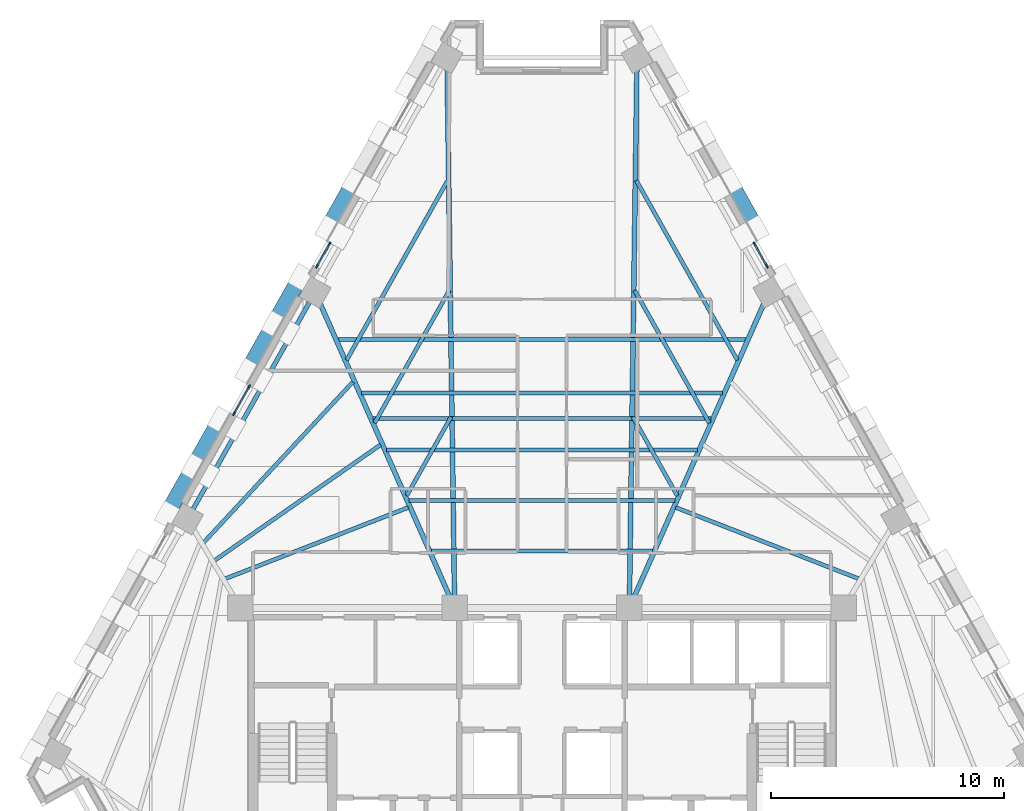
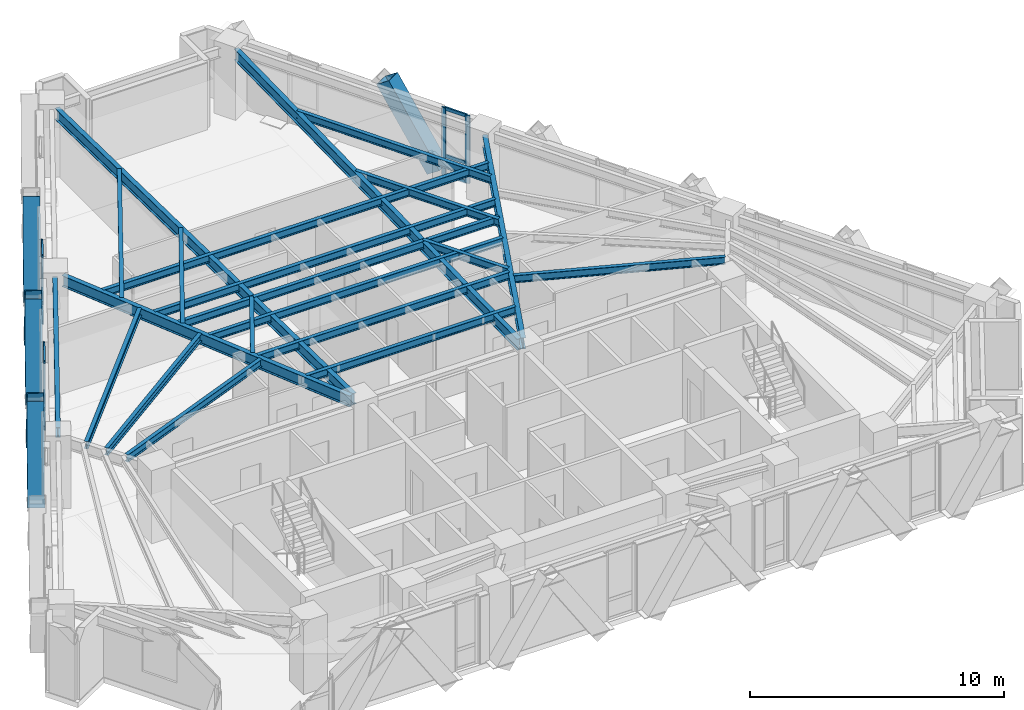
# One storey, part 3 of 14: 21 beams, 21 members, 3 elements without a shape of their own.
"""IFC4 building model written with IfcOpenShell, lengths in metres."""

from ifc_helpers import new_model, si_unit, direction, frame, origin, origin_2d, place, context, subcontext, project, spatial, rectangle, hollow_rectangle, i_section, extrude, material, material_profile, profile_set, type_object, element, aggregate, save


model = new_model("IFC4")

# Units and contexts
model_context = context("Model", 3, precision=1e-05, world=origin(), true_north=direction((0.0, 1.0)))
body_context = subcontext(model_context, "Body", "Model", "MODEL_VIEW")
ifc_project = project(units=[si_unit("LENGTHUNIT", "METRE"), si_unit("AREAUNIT", "SQUARE_METRE"), si_unit("VOLUMEUNIT", "CUBIC_METRE"), si_unit("PLANEANGLEUNIT", "RADIAN"), si_unit("MASSUNIT", "GRAM", prefix="KILO")], contexts=[model_context])

# Site, building, storey
site_placement = place(None, origin())
site = spatial("IfcSite", under=ifc_project, at=site_placement, CompositionType="ELEMENT")
building_placement = place(site_placement, origin())
building = spatial("IfcBuilding", under=site, at=building_placement, Name="Quenlor Broadcast Tower", CompositionType="ELEMENT")
storey_placement = place(building_placement, frame((0.0, 0.0, 168.5)))
storey = spatial("IfcBuildingStorey", under=building, at=storey_placement, Name="L46", CompositionType="ELEMENT", Elevation=168.5)

# Curtain wall, members
ifc_material_1 = material(Name="Architectural Terracotta and Low-E Glazing", Category="masonry")
curtain_wall_type = type_object("IfcCurtainWallType", Name="Unitised Terracotta Curtain Wall System Z3", PredefinedType="NOTDEFINED", material=ifc_material_1)
curtain_wall_1_placement = place(storey_placement, origin())
curtain_wall_1 = element("IfcCurtainWall", 1, at=curtain_wall_1_placement, inside=storey, type_object=curtain_wall_type, Name="L46 Curtain Wall CW3 (L46-NEA-G2)", PredefinedType="NOTDEFINED")
ifc_material_2 = material(Name="Aluminium 6063-T6", Category="aluminium")
ifc_material_profile_1 = material_profile(ifc_material_2, rectangle(XDim=0.070068359375, YDim=0.18994140625, at=origin_2d()))
ifc_profile_set_1 = profile_set([ifc_material_profile_1], Name="Aluminium 6063-T6 MULL70x190")
member_type_1 = type_object("IfcMemberType", Name="CW3 Aluminium Mullion MULL_CW3", PredefinedType="MULLION", material=ifc_profile_set_1)
member_1_placement = place(storey_placement, frame((9.1259765625, 10.8193359375, 0.0), z_axis=(0.0, 0.0, 1.0), x_axis=(0.871601010924, 0.490215950125, 0.0)))
member_1 = element("IfcMember", 2, at=member_1_placement, type_object=member_type_1, Name="CW3 mullion 1", PredefinedType="MULLION", context=body_context, shape_type="SweptSolid", body=[
    extrude(rectangle(XDim=0.070068359375, YDim=0.18994140625, at=origin_2d()), origin(), (0.0, 0.0, 1.0), 3.25),
])
member_2_placement = place(storey_placement, frame((9.656982421875, 9.875244140625, 0.0), z_axis=(0.0, 0.0, 1.0), x_axis=(0.871601010924, 0.490215950125, 0.0)))
member_2 = element("IfcMember", 3, at=member_2_placement, type_object=member_type_1, Name="CW3 mullion 2", PredefinedType="MULLION", context=body_context, shape_type="SweptSolid", body=[
    extrude(rectangle(XDim=0.070068359375, YDim=0.18994140625, at=origin_2d()), origin(), (0.0, 0.0, 1.0), 3.25),
])

curtain_wall_2_placement = place(storey_placement, origin())
curtain_wall_2 = element("IfcCurtainWall", 4, at=curtain_wall_2_placement, inside=storey, type_object=curtain_wall_type, Name="L46 Curtain Wall CW3 (L46-NWC-G1)", PredefinedType="NOTDEFINED")
member_3_placement = place(storey_placement, frame((-9.656982421875, 9.875244140625, 0.0), z_axis=(0.0, 0.0, 1.0), x_axis=(-0.871601010924, 0.490215950125, 0.0)))
member_3 = element("IfcMember", 5, at=member_3_placement, type_object=member_type_1, Name="CW3 mullion 1", PredefinedType="MULLION", context=body_context, shape_type="SweptSolid", body=[
    extrude(rectangle(XDim=0.070068359375, YDim=0.18994140625, at=origin_2d()), origin(), (0.0, 0.0, 1.0), 3.25),
])
member_4_placement = place(storey_placement, frame((-9.1259765625, 10.8193359375, 0.0), z_axis=(0.0, 0.0, 1.0), x_axis=(-0.871601010924, 0.490215950125, 0.0)))
member_4 = element("IfcMember", 6, at=member_4_placement, type_object=member_type_1, Name="CW3 mullion 2", PredefinedType="MULLION", context=body_context, shape_type="SweptSolid", body=[
    extrude(rectangle(XDim=0.070068359375, YDim=0.18994140625, at=origin_2d()), origin(), (0.0, 0.0, 1.0), 3.25),
])

curtain_wall_3_placement = place(storey_placement, origin())
curtain_wall_3 = element("IfcCurtainWall", 7, at=curtain_wall_3_placement, inside=storey, type_object=curtain_wall_type, Name="L46 Curtain Wall CW3 (L46-NW-G1)", PredefinedType="NOTDEFINED")
member_5_placement = place(storey_placement, frame((-13.220947265625, 3.5390625, 0.0), z_axis=(0.0, 0.0, 1.0), x_axis=(-0.871562085714, 0.490285152484, 0.0)))
member_5 = element("IfcMember", 8, at=member_5_placement, type_object=member_type_1, Name="CW3 mullion 1", PredefinedType="MULLION", context=body_context, shape_type="SweptSolid", body=[
    extrude(rectangle(XDim=0.070068359375, YDim=0.18994140625, at=origin_2d()), origin(), (0.0, 0.0, 1.0), 3.25),
])
member_6_placement = place(storey_placement, frame((-12.573974609375, 4.689208984375, 0.0), z_axis=(0.0, 0.0, 1.0), x_axis=(-0.871562085714, 0.490285152484, 0.0)))
member_6 = element("IfcMember", 9, at=member_6_placement, type_object=member_type_1, Name="CW3 mullion 2", PredefinedType="MULLION", context=body_context, shape_type="SweptSolid", body=[
    extrude(rectangle(XDim=0.070068359375, YDim=0.18994140625, at=origin_2d()), origin(), (0.0, 0.0, 1.0), 3.25),
])

# Member
ifc_material_3 = material(Name="Aluminium 6063-T6", Category="aluminium")
ifc_material_profile_2 = material_profile(ifc_material_3, rectangle(XDim=0.070068359375, YDim=0.155029296875, at=origin_2d()))
ifc_profile_set_2 = profile_set([ifc_material_profile_2], Name="Aluminium 6063-T6 TRAN70x155")
member_type_2 = type_object("IfcMemberType", Name="CW3 Aluminium Transom TRAN_CW3", PredefinedType="USERDEFINED", material=ifc_profile_set_2)
member_7_placement = place(storey_placement, frame((9.14306640625, 10.788818359375, 0.034912109375), z_axis=(0.490341317219, -0.871530488639, 0.0), x_axis=(0.871530488639, 0.490341317219, 0.0)))
member_7 = element("IfcMember", 10, at=member_7_placement, type_object=member_type_2, Name="CW3 transom 1.1", ObjectType="TRANSOM", PredefinedType="USERDEFINED", context=body_context, shape_type="SweptSolid", body=[
    extrude(rectangle(XDim=0.070068359375, YDim=0.155029296875, at=origin_2d()), origin(), (0.0, 0.0, 1.0), 1.01318359375),
])

member_8_placement = place(storey_placement, frame((9.14306640625, 10.788818359375, 0.949951171875), z_axis=(0.490341317219, -0.871530488639, 0.0), x_axis=(0.871530488639, 0.490341317219, 0.0)))
member_8 = element("IfcMember", 11, at=member_8_placement, type_object=member_type_2, Name="CW3 transom 1.2", ObjectType="TRANSOM", PredefinedType="USERDEFINED", context=body_context, shape_type="SweptSolid", body=[
    extrude(rectangle(XDim=0.070068359375, YDim=0.155029296875, at=origin_2d()), origin(), (0.0, 0.0, 1.0), 1.01318359375),
])

member_9_placement = place(storey_placement, frame((9.14306640625, 10.788818359375, 3.215087890625), z_axis=(0.490341317219, -0.871530488639, 0.0), x_axis=(0.871530488639, 0.490341317219, 0.0)))
member_9 = element("IfcMember", 12, at=member_9_placement, type_object=member_type_2, Name="CW3 transom 1.3", ObjectType="TRANSOM", PredefinedType="USERDEFINED", context=body_context, shape_type="SweptSolid", body=[
    extrude(rectangle(XDim=0.070068359375, YDim=0.155029296875, at=origin_2d()), origin(), (0.0, 0.0, 1.0), 1.01318359375),
])

aggregate(curtain_wall_1, [member_1, member_2, member_7, member_8, member_9])

member_10_placement = place(storey_placement, frame((-9.639892578125, 9.90576171875, 0.034912109375), z_axis=(0.490341317219, 0.871530488639, 0.0), x_axis=(-0.871530488639, 0.490341317219, 0.0)))
member_10 = element("IfcMember", 13, at=member_10_placement, type_object=member_type_2, Name="CW3 transom 1.1", ObjectType="TRANSOM", PredefinedType="USERDEFINED", context=body_context, shape_type="SweptSolid", body=[
    extrude(rectangle(XDim=0.070068359375, YDim=0.155029296875, at=origin_2d()), origin(), (0.0, 0.0, 1.0), 1.01318359375),
])

member_11_placement = place(storey_placement, frame((-9.639892578125, 9.90576171875, 0.949951171875), z_axis=(0.490341317219, 0.871530488639, 0.0), x_axis=(-0.871530488639, 0.490341317219, 0.0)))
member_11 = element("IfcMember", 14, at=member_11_placement, type_object=member_type_2, Name="CW3 transom 1.2", ObjectType="TRANSOM", PredefinedType="USERDEFINED", context=body_context, shape_type="SweptSolid", body=[
    extrude(rectangle(XDim=0.070068359375, YDim=0.155029296875, at=origin_2d()), origin(), (0.0, 0.0, 1.0), 1.01318359375),
])

member_12_placement = place(storey_placement, frame((-9.639892578125, 9.90576171875, 3.215087890625), z_axis=(0.490341317219, 0.871530488639, 0.0), x_axis=(-0.871530488639, 0.490341317219, 0.0)))
member_12 = element("IfcMember", 15, at=member_12_placement, type_object=member_type_2, Name="CW3 transom 1.3", ObjectType="TRANSOM", PredefinedType="USERDEFINED", context=body_context, shape_type="SweptSolid", body=[
    extrude(rectangle(XDim=0.070068359375, YDim=0.155029296875, at=origin_2d()), origin(), (0.0, 0.0, 1.0), 1.01318359375),
])

aggregate(curtain_wall_2, [member_3, member_4, member_10, member_11, member_12])

member_13_placement = place(storey_placement, frame((-13.203857421875, 3.569580078125, 0.034912109375), z_axis=(0.490363266059, 0.871518139398, 0.0), x_axis=(-0.871518139398, 0.490363266059, 0.0)))
member_13 = element("IfcMember", 16, at=member_13_placement, type_object=member_type_2, Name="CW3 transom 1.1", ObjectType="TRANSOM", PredefinedType="USERDEFINED", context=body_context, shape_type="SweptSolid", body=[
    extrude(rectangle(XDim=0.070068359375, YDim=0.155029296875, at=origin_2d()), origin(), (0.0, 0.0, 1.0), 1.249755859375),
])

member_14_placement = place(storey_placement, frame((-13.203857421875, 3.569580078125, 0.949951171875), z_axis=(0.490363266059, 0.871518139398, 0.0), x_axis=(-0.871518139398, 0.490363266059, 0.0)))
member_14 = element("IfcMember", 17, at=member_14_placement, type_object=member_type_2, Name="CW3 transom 1.2", ObjectType="TRANSOM", PredefinedType="USERDEFINED", context=body_context, shape_type="SweptSolid", body=[
    extrude(rectangle(XDim=0.070068359375, YDim=0.155029296875, at=origin_2d()), origin(), (0.0, 0.0, 1.0), 1.249755859375),
])

member_15_placement = place(storey_placement, frame((-13.203857421875, 3.569580078125, 3.215087890625), z_axis=(0.490363266059, 0.871518139398, 0.0), x_axis=(-0.871518139398, 0.490363266059, 0.0)))
member_15 = element("IfcMember", 18, at=member_15_placement, type_object=member_type_2, Name="CW3 transom 1.3", ObjectType="TRANSOM", PredefinedType="USERDEFINED", context=body_context, shape_type="SweptSolid", body=[
    extrude(rectangle(XDim=0.070068359375, YDim=0.155029296875, at=origin_2d()), origin(), (0.0, 0.0, 1.0), 1.249755859375),
])

aggregate(curtain_wall_3, [member_5, member_6, member_13, member_14, member_15])

# Members
ifc_material_4 = material(Name="Steel S355", Category="steel")
ifc_material_profile_3 = material_profile(ifc_material_4, hollow_rectangle(XDim=0.679931640625, YDim=0.679931640625, WallThickness=0.02490234375, at=origin_2d()))
ifc_profile_set_3 = profile_set([ifc_material_profile_3], Name="Steel S355 RHS680x680x25")
member_type_3 = type_object("IfcMemberType", Name="Perimeter Diagonal Lattice Brace Z3-Z4 Steel S355 RHS680x25", PredefinedType="BRACE", material=ifc_profile_set_3)
for number, where, z_axis, x_axis, name in (
    (19, (9.212158203125, 11.4716796875, -0.1201171875), (-0.27060310517, 0.481001091283, 0.833913610428), (-0.871544572467, -0.490316283845, 0.0), "L46 Perimeter Diamond Lattice NE-C2B"),
    (20, (-16.1083984375, -0.7880859375, -0.1201171875), (0.27060310517, 0.481001091283, 0.833913610428), (-0.871544572467, 0.490316283845, 0.0), "L46 Perimeter Diamond Lattice NW-C2S"),
    (21, (-12.66015625, 5.341796875, -0.1201171875), (0.2705491942, 0.481008661973, 0.833926735766), (-0.871589611547, 0.490236217596, 0.0), "L46 Perimeter Diamond Lattice NW-C3S"),
    (22, (-13.823486328125, 3.27392578125, -0.1201171875), (-0.2705491942, -0.481008661973, 0.833926735766), (0.871589611547, -0.490236217596, 0.0), "L46 Perimeter Diamond Lattice NW-C3B"),
    (23, (-9.212158203125, 11.4716796875, -0.1201171875), (0.27060310517, 0.481001091283, 0.833913610428), (-0.871544572467, 0.490316283845, 0.0), "L46 Perimeter Diamond Lattice NW-C4S"),
    (24, (-10.375244140625, 9.40380859375, -0.1201171875), (-0.2705491942, -0.481008661973, 0.833926735766), (0.871589611547, -0.490236217596, 0.0), "L46 Perimeter Diamond Lattice NW-C4B"),
):
    element("IfcMember", number, at=place(storey_placement, frame(where, z_axis=z_axis, x_axis=x_axis)), inside=storey, type_object=member_type_3, Name=name, PredefinedType="BRACE", context=body_context, shape_type="SweptSolid", body=[
        extrude(hollow_rectangle(XDim=0.679931640625, YDim=0.679931640625, WallThickness=0.02490234375, at=origin_2d()), origin(), (0.0, 0.0, 1.0), 4.197021484375),
    ])

# Beams
ifc_material_5 = material(Name="Steel S355", Category="steel")
ifc_material_profile_4 = material_profile(ifc_material_5, i_section(OverallWidth=0.19091796875, OverallDepth=0.46044921875, WebThickness=0.010009765625, FlangeThickness=0.01611328125, FilletRadius=0.011474609375, at=origin_2d()))
ifc_profile_set_4 = profile_set([ifc_material_profile_4], Name="Steel S355 460UB82.1")
beam_type_1 = type_object("IfcBeamType", Name="Perimeter Spandrel Beam Z3 Steel S355 460UB82.1", PredefinedType="SPANDREL", material=ifc_profile_set_4)
beam_1_placement = place(storey_placement, frame((-9.944091796875, 8.39599609375, 3.019775390625), z_axis=(-0.490252288562, -0.871580572041, 0.0), x_axis=(0.871580572041, -0.490252288562, 0.0)))
element("IfcBeam", 25, at=beam_1_placement, inside=storey, type_object=beam_type_1, Name="L46 Spandrel Beam NW2-NW3", PredefinedType="SPANDREL", context=body_context, shape_type="SweptSolid", body=[
    extrude(i_section(OverallWidth=0.19091796875, OverallDepth=0.46044921875, WebThickness=0.010009765625, FlangeThickness=0.01611328125, FilletRadius=0.011474609375, at=origin_2d()), origin(), (0.0, 0.0, 1.0), 10.359619140625),
])
ifc_material_6 = material(Name="Steel S355", Category="steel")
ifc_material_profile_5 = material_profile(ifc_material_6, i_section(OverallWidth=0.172119140625, OverallDepth=0.358642578125, WebThickness=0.008056640625, FlangeThickness=0.012939453125, FilletRadius=0.011474609375, at=origin_2d()))
ifc_profile_set_5 = profile_set([ifc_material_profile_5], Name="Steel S355 360UB56.7")
beam_type_2 = type_object("IfcBeamType", Name="Tower Composite Joist Z2-Z3 Steel S355 360UB56.7", PredefinedType="JOIST", material=ifc_profile_set_5)
beam_2_placement = place(storey_placement, frame((-4.748779296875, -2.3603515625, 3.07080078125), z_axis=(1.0, 0.0, 0.0), x_axis=(0.0, 1.0, 0.0)))
element("IfcBeam", 26, at=beam_2_placement, inside=storey, type_object=beam_type_2, Name="L46 Secondary Composite Joist 1", PredefinedType="JOIST", context=body_context, shape_type="SweptSolid", body=[
    extrude(i_section(OverallWidth=0.172119140625, OverallDepth=0.358642578125, WebThickness=0.008056640625, FlangeThickness=0.012939453125, FilletRadius=0.011474609375, at=origin_2d()), origin(), (0.0, 0.0, 1.0), 9.49755859375),
])
beam_3_placement = place(storey_placement, frame((-7.265869140625, 3.33203125, 3.07080078125), z_axis=(1.0, 0.0, 0.0), x_axis=(0.0, 1.0, 0.0)))
element("IfcBeam", 27, at=beam_3_placement, inside=storey, type_object=beam_type_2, Name="L46 Secondary Composite Joist 2", PredefinedType="JOIST", context=body_context, shape_type="SweptSolid", body=[
    extrude(i_section(OverallWidth=0.172119140625, OverallDepth=0.358642578125, WebThickness=0.008056640625, FlangeThickness=0.012939453125, FilletRadius=0.011474609375, at=origin_2d()), origin(), (0.0, 0.0, 1.0), 14.53173828125),
])
beam_4_placement = place(storey_placement, frame((-5.70751953125, -0.19189453125, 3.07080078125), z_axis=(1.0, 0.0, 0.0), x_axis=(0.0, 1.0, 0.0)))
element("IfcBeam", 28, at=beam_4_placement, inside=storey, type_object=beam_type_2, Name="L46 Secondary Composite Joist 3", PredefinedType="JOIST", context=body_context, shape_type="SweptSolid", body=[
    extrude(i_section(OverallWidth=0.172119140625, OverallDepth=0.358642578125, WebThickness=0.008056640625, FlangeThickness=0.012939453125, FilletRadius=0.011474609375, at=origin_2d()), origin(), (0.0, 0.0, 1.0), 11.4150390625),
])
beam_5_placement = place(storey_placement, frame((-6.66650390625, 1.976806640625, 3.07080078125), z_axis=(1.0, 0.0, 0.0), x_axis=(0.0, 1.0, 0.0)))
element("IfcBeam", 29, at=beam_5_placement, inside=storey, type_object=beam_type_2, Name="L46 Secondary Composite Joist 4", PredefinedType="JOIST", context=body_context, shape_type="SweptSolid", body=[
    extrude(i_section(OverallWidth=0.172119140625, OverallDepth=0.358642578125, WebThickness=0.008056640625, FlangeThickness=0.012939453125, FilletRadius=0.011474609375, at=origin_2d()), origin(), (0.0, 0.0, 1.0), 13.3330078125),
])
beam_6_placement = place(storey_placement, frame((-7.7451171875, 4.416259765625, 3.07080078125), z_axis=(1.0, 0.0, 0.0), x_axis=(0.0, 1.0, 0.0)))
element("IfcBeam", 30, at=beam_6_placement, inside=storey, type_object=beam_type_2, Name="L46 Secondary Composite Joist 5", PredefinedType="JOIST", context=body_context, shape_type="SweptSolid", body=[
    extrude(i_section(OverallWidth=0.172119140625, OverallDepth=0.358642578125, WebThickness=0.008056640625, FlangeThickness=0.012939453125, FilletRadius=0.011474609375, at=origin_2d()), origin(), (0.0, 0.0, 1.0), 15.490234375),
])
beam_7_placement = place(storey_placement, frame((-8.763916015625, 6.72021484375, 3.07080078125), z_axis=(1.0, 0.0, 0.0), x_axis=(0.0, 1.0, 0.0)))
element("IfcBeam", 31, at=beam_7_placement, inside=storey, type_object=beam_type_2, Name="L46 Secondary Composite Joist 6", PredefinedType="JOIST", context=body_context, shape_type="SweptSolid", body=[
    extrude(i_section(OverallWidth=0.172119140625, OverallDepth=0.358642578125, WebThickness=0.008056640625, FlangeThickness=0.012939453125, FilletRadius=0.011474609375, at=origin_2d()), origin(), (0.0, 0.0, 1.0), 17.52783203125),
])
beam_8_placement = place(storey_placement, frame((-13.60302734375, -3.552001953125, 3.07080078125), z_axis=(0.931881865797, 0.362761889121, 0.0), x_axis=(-0.362761889121, 0.931881865797, 0.0)))
element("IfcBeam", 32, at=beam_8_placement, inside=storey, type_object=beam_type_2, Name="L46 Secondary Composite Joist 7", PredefinedType="JOIST", context=body_context, shape_type="SweptSolid", body=[
    extrude(i_section(OverallWidth=0.172119140625, OverallDepth=0.358642578125, WebThickness=0.008056640625, FlangeThickness=0.012939453125, FilletRadius=0.011474609375, at=origin_2d()), origin(), (0.0, 0.0, 1.0), 8.435546875),
])
beam_9_placement = place(storey_placement, frame((-14.06689453125, -2.7734375, 3.07080078125), z_axis=(0.82026568394, 0.57198269882, 0.0), x_axis=(-0.57198269882, 0.82026568394, 0.0)))
element("IfcBeam", 33, at=beam_9_placement, inside=storey, type_object=beam_type_2, Name="L46 Secondary Composite Joist 8", PredefinedType="JOIST", context=body_context, shape_type="SweptSolid", body=[
    extrude(i_section(OverallWidth=0.172119140625, OverallDepth=0.358642578125, WebThickness=0.008056640625, FlangeThickness=0.012939453125, FilletRadius=0.011474609375, at=origin_2d()), origin(), (0.0, 0.0, 1.0), 8.698486328125),
])
beam_10_placement = place(storey_placement, frame((-14.53271484375, -1.998779296875, 3.07080078125), z_axis=(0.680873505991, 0.732401030065, 0.0), x_axis=(-0.732401030065, 0.680873505991, 0.0)))
element("IfcBeam", 34, at=beam_10_placement, inside=storey, type_object=beam_type_2, Name="L46 Secondary Composite Joist 9", PredefinedType="JOIST", context=body_context, shape_type="SweptSolid", body=[
    extrude(i_section(OverallWidth=0.172119140625, OverallDepth=0.358642578125, WebThickness=0.008056640625, FlangeThickness=0.012939453125, FilletRadius=0.011474609375, at=origin_2d()), origin(), (0.0, 0.0, 1.0), 9.419189453125),
])
beam_11_placement = place(storey_placement, frame((13.60302734375, -3.552001953125, 3.07080078125), z_axis=(-0.931881865797, 0.362761889121, 0.0), x_axis=(-0.362761889121, -0.931881865797, 0.0)))
element("IfcBeam", 35, at=beam_11_placement, inside=storey, type_object=beam_type_2, Name="L46 Secondary Composite Joist 10", PredefinedType="JOIST", context=body_context, shape_type="SweptSolid", body=[
    extrude(i_section(OverallWidth=0.172119140625, OverallDepth=0.358642578125, WebThickness=0.008056640625, FlangeThickness=0.012939453125, FilletRadius=0.011474609375, at=origin_2d()), origin(), (0.0, 0.0, 1.0), 8.435546875),
])
beam_12_placement = place(storey_placement, frame((-3.904541015625, 3.39794921875, 3.07080078125), z_axis=(-0.49026422458, -0.871573858085, 0.0), x_axis=(0.871573858085, -0.49026422458, 0.0)))
element("IfcBeam", 36, at=beam_12_placement, inside=storey, type_object=beam_type_2, Name="L46 Secondary Composite Joist 25", PredefinedType="JOIST", context=body_context, shape_type="SweptSolid", body=[
    extrude(i_section(OverallWidth=0.172119140625, OverallDepth=0.358642578125, WebThickness=0.008056640625, FlangeThickness=0.012939453125, FilletRadius=0.011474609375, at=origin_2d()), origin(), (0.0, 0.0, 1.0), 3.88330078125),
])
beam_13_placement = place(storey_placement, frame((-3.980224609375, 8.8310546875, 3.07080078125), z_axis=(-0.490266556378, -0.871572546434, 0.0), x_axis=(0.871572546434, -0.490266556378, 0.0)))
element("IfcBeam", 37, at=beam_13_placement, inside=storey, type_object=beam_type_2, Name="L46 Secondary Composite Joist 26", PredefinedType="JOIST", context=body_context, shape_type="SweptSolid", body=[
    extrude(i_section(OverallWidth=0.172119140625, OverallDepth=0.358642578125, WebThickness=0.008056640625, FlangeThickness=0.012939453125, FilletRadius=0.011474609375, at=origin_2d()), origin(), (0.0, 0.0, 1.0), 6.54052734375),
])
beam_14_placement = place(storey_placement, frame((-4.046142578125, 13.555419921875, 3.07080078125), z_axis=(-0.490254691431, -0.871579220455, 0.0), x_axis=(0.871579220455, -0.490254691431, 0.0)))
element("IfcBeam", 38, at=beam_14_placement, inside=storey, type_object=beam_type_2, Name="L46 Secondary Composite Joist 27", PredefinedType="JOIST", context=body_context, shape_type="SweptSolid", body=[
    extrude(i_section(OverallWidth=0.172119140625, OverallDepth=0.358642578125, WebThickness=0.008056640625, FlangeThickness=0.012939453125, FilletRadius=0.011474609375, at=origin_2d()), origin(), (0.0, 0.0, 1.0), 8.850830078125),
])
beam_15_placement = place(storey_placement, frame((3.904541015625, 3.39794921875, 3.07080078125), z_axis=(0.49026422458, -0.871573858085, 0.0), x_axis=(0.871573858085, 0.49026422458, 0.0)))
element("IfcBeam", 39, at=beam_15_placement, inside=storey, type_object=beam_type_2, Name="L46 Secondary Composite Joist 28", PredefinedType="JOIST", context=body_context, shape_type="SweptSolid", body=[
    extrude(i_section(OverallWidth=0.172119140625, OverallDepth=0.358642578125, WebThickness=0.008056640625, FlangeThickness=0.012939453125, FilletRadius=0.011474609375, at=origin_2d()), origin(), (0.0, 0.0, 1.0), 3.88330078125),
])
beam_16_placement = place(storey_placement, frame((3.980224609375, 8.8310546875, 3.07080078125), z_axis=(0.490266556378, -0.871572546434, 0.0), x_axis=(0.871572546434, 0.490266556378, 0.0)))
element("IfcBeam", 40, at=beam_16_placement, inside=storey, type_object=beam_type_2, Name="L46 Secondary Composite Joist 29", PredefinedType="JOIST", context=body_context, shape_type="SweptSolid", body=[
    extrude(i_section(OverallWidth=0.172119140625, OverallDepth=0.358642578125, WebThickness=0.008056640625, FlangeThickness=0.012939453125, FilletRadius=0.011474609375, at=origin_2d()), origin(), (0.0, 0.0, 1.0), 6.54052734375),
])
beam_17_placement = place(storey_placement, frame((4.046142578125, 13.555419921875, 3.07080078125), z_axis=(0.490254691431, -0.871579220455, 0.0), x_axis=(0.871579220455, 0.490254691431, 0.0)))
element("IfcBeam", 41, at=beam_17_placement, inside=storey, type_object=beam_type_2, Name="L46 Secondary Composite Joist 30", PredefinedType="JOIST", context=body_context, shape_type="SweptSolid", body=[
    extrude(i_section(OverallWidth=0.172119140625, OverallDepth=0.358642578125, WebThickness=0.008056640625, FlangeThickness=0.012939453125, FilletRadius=0.011474609375, at=origin_2d()), origin(), (0.0, 0.0, 1.0), 8.850830078125),
])
ifc_material_7 = material(Name="Steel S355", Category="steel")
ifc_material_profile_6 = material_profile(ifc_material_7, i_section(OverallWidth=0.208984375, OverallDepth=0.532958984375, WebThickness=0.01025390625, FlangeThickness=0.015625, FilletRadius=0.013916015625, at=origin_2d()))
ifc_profile_set_6 = profile_set([ifc_material_profile_6], Name="Steel S355 530UB92.4")
beam_type_3 = type_object("IfcBeamType", Name="Tower Primary Floor Beam Z3 Steel S355 530UB92.4", PredefinedType="BEAM", material=ifc_profile_set_6)
beam_18_placement = place(storey_placement, frame((9.5771484375, 8.37841796875, 2.9833984375), z_axis=(-0.404397129794, -0.914583490675, 0.0), x_axis=(0.914583490675, -0.404397129794, 0.0)))
element("IfcBeam", 42, at=beam_18_placement, inside=storey, type_object=beam_type_3, Name="L46 Primary Radial Beam NE3", PredefinedType="BEAM", context=body_context, shape_type="SweptSolid", body=[
    extrude(i_section(OverallWidth=0.208984375, OverallDepth=0.532958984375, WebThickness=0.01025390625, FlangeThickness=0.015625, FilletRadius=0.013916015625, at=origin_2d()), origin(), (0.0, 0.0, 1.0), 14.029052734375),
])
for number, where, z_axis, x_axis, name in (
    (43, (4.073486328125, 18.412109375, 2.9833984375), (-0.013931496433, -0.999902951994, 0.0), (0.999902951994, -0.013931496433, 0.0), "L46 Primary Radial Beam NE4"),
    (44, (-4.073486328125, 18.412109375, 2.9833984375), (0.013931496433, -0.999902951994, 0.0), (0.999902951994, 0.013931496433, 0.0), "L46 Primary Radial Beam NW1"),
):
    element("IfcBeam", number, at=place(storey_placement, frame(where, z_axis=z_axis, x_axis=x_axis)), inside=storey, type_object=beam_type_3, Name=name, PredefinedType="BEAM", context=body_context, shape_type="SweptSolid", body=[
        extrude(i_section(OverallWidth=0.208984375, OverallDepth=0.532958984375, WebThickness=0.01025390625, FlangeThickness=0.015625, FilletRadius=0.013916015625, at=origin_2d()), origin(), (0.0, 0.0, 1.0), 22.834228515625),
    ])
beam_19_placement = place(storey_placement, frame((-9.5771484375, 8.37841796875, 2.9833984375), z_axis=(0.404397129794, -0.914583490675, 0.0), x_axis=(0.914583490675, 0.404397129794, 0.0)))
element("IfcBeam", 45, at=beam_19_placement, inside=storey, type_object=beam_type_3, Name="L46 Primary Radial Beam NW2", PredefinedType="BEAM", context=body_context, shape_type="SweptSolid", body=[
    extrude(i_section(OverallWidth=0.208984375, OverallDepth=0.532958984375, WebThickness=0.01025390625, FlangeThickness=0.015625, FilletRadius=0.013916015625, at=origin_2d()), origin(), (0.0, 0.0, 1.0), 14.029052734375),
])

save(model, "model.ifc")
